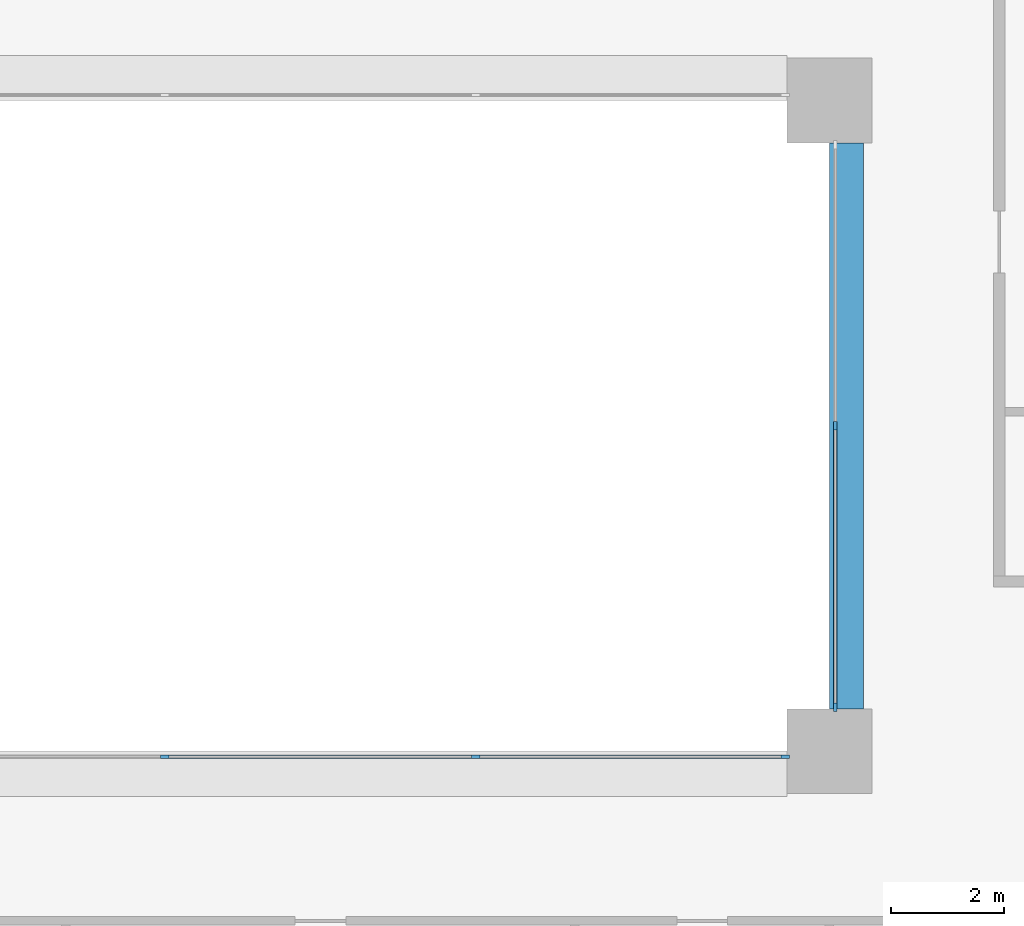
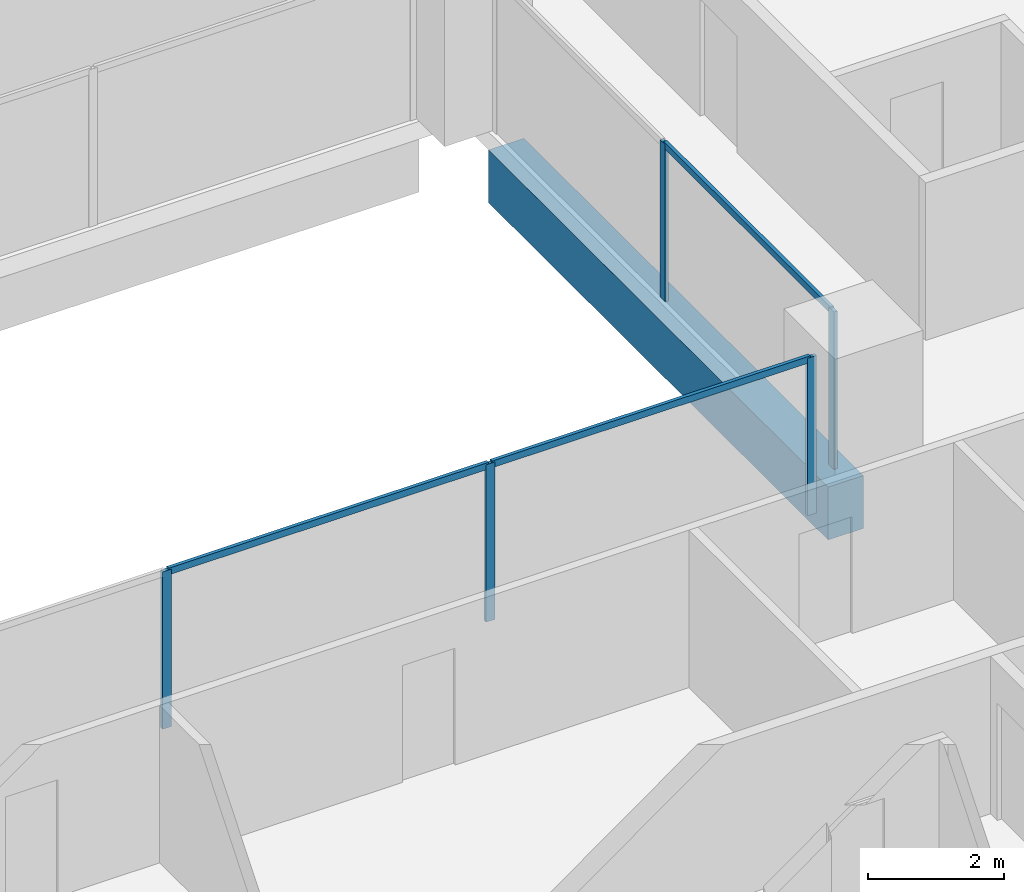
# One storey, part 4 of 20: 8 members, 1 beam, 2 elements without a shape of their own.
"""IFC4 building model written with IfcOpenShell, lengths in metres."""

from ifc_helpers import new_model, si_unit, direction, frame, origin, origin_2d, place, context, subcontext, project, spatial, rectangle, extrude, material, layer, layer_set, material_profile, profile_set, type_object, element, aggregate, save


model = new_model("IFC4")

# Units and contexts
model_context = context("Model", 3, precision=1e-05, world=origin(), true_north=direction((0.0, 1.0)))
body_context = subcontext(model_context, "Body", "Model", "MODEL_VIEW")
ifc_project = project(units=[si_unit("LENGTHUNIT", "METRE"), si_unit("AREAUNIT", "SQUARE_METRE"), si_unit("VOLUMEUNIT", "CUBIC_METRE"), si_unit("PLANEANGLEUNIT", "RADIAN"), si_unit("MASSUNIT", "GRAM", prefix="KILO")], contexts=[model_context])

# Site, building, storey
site_placement = place(None, origin())
site = spatial("IfcSite", under=ifc_project, at=site_placement, CompositionType="ELEMENT")
building_placement = place(site_placement, origin())
building = spatial("IfcBuilding", under=site, at=building_placement, Name="Brigalow Station Residences", CompositionType="ELEMENT")
storey_placement = place(building_placement, frame((0.0, 0.0, 38.39990234375)))
storey = spatial("IfcBuildingStorey", under=building, at=storey_placement, Name="L10", CompositionType="ELEMENT", Elevation=38.39990234375)

# Beam
ifc_material_1 = material(Name="Concrete C65", Category="concrete")
ifc_material_profile_1 = material_profile(ifc_material_1, rectangle(XDim=0.60009765625, YDim=0.949951171875, at=origin_2d()), Name="RC600x950")
ifc_profile_set_1 = profile_set([ifc_material_profile_1], Name="Concrete C65")
beam_type = type_object("IfcBeamType", Name="ATRIUM EDGE GIRDER 600x950 C65", PredefinedType="BEAM", material=ifc_profile_set_1)
beam_placement = place(storey_placement, frame((45.300048828125, 24.75, -0.794921875), z_axis=(0.0, 1.0, 0.0), x_axis=(-1.0, 0.0, 0.0)))
element("IfcBeam", 1, at=beam_placement, inside=storey, type_object=beam_type, Name="ATRIUM EDGE GIRDER 5 L10", PredefinedType="BEAM", context=body_context, shape_type="SweptSolid", body=[
    extrude(rectangle(XDim=0.60009765625, YDim=0.949951171875, at=origin_2d()), origin(), (0.0, 0.0, 1.0), 10.0),
])

# Curtain wall, members
ifc_material_2 = material(Name="Aluminium", Category="aluminium")
ifc_layer = layer(ifc_material_2, 0.14990234375)
ifc_layer_set = layer_set([ifc_layer], Name="ATRIUM FIRE-RATED GLAZING CURTAIN WALL")
curtain_wall_type = type_object("IfcCurtainWallType", Name="ATRIUM FIRE-RATED GLAZING CURTAIN WALL", PredefinedType="NOTDEFINED", material=ifc_layer_set)
curtain_wall_1_placement = place(storey_placement, origin())
curtain_wall_1 = element("IfcCurtainWall", 2, at=curtain_wall_1_placement, inside=storey, type_object=curtain_wall_type, Name="L10/cw/atrium-S", PredefinedType="NOTDEFINED")
ifc_material_3 = material(Name="Aluminium", Category="aluminium")
ifc_material_profile_2 = material_profile(ifc_material_3, rectangle(XDim=0.06005859375, YDim=0.14990234375, at=origin_2d()), Name="ATRIUM FIRE-RATED GLAZING MULLION 60x150")
ifc_profile_set_2 = profile_set([ifc_material_profile_2], Name="Aluminium")
member_type_1 = type_object("IfcMemberType", Name="ATRIUM FIRE-RATED GLAZING MULLION 60x150", PredefinedType="MULLION", material=ifc_profile_set_2)
member_1_placement = place(storey_placement, frame((33.25, 23.89990234375, 0.0), z_axis=(0.0, 0.0, 1.0), x_axis=(0.0, 1.0, 0.0)))
member_1 = element("IfcMember", 3, at=member_1_placement, type_object=member_type_1, Name="L10/cw/atrium-S/M01", PredefinedType="MULLION", context=body_context, shape_type="SweptSolid", body=[
    extrude(rectangle(XDim=0.06005859375, YDim=0.14990234375, at=origin_2d()), origin(), (0.0, 0.0, 1.0), 2.830078125),
])
member_2_placement = place(storey_placement, frame((38.75, 23.89990234375, 0.0), z_axis=(0.0, 0.0, 1.0), x_axis=(0.0, 1.0, 0.0)))
member_2 = element("IfcMember", 4, at=member_2_placement, type_object=member_type_1, Name="L10/cw/atrium-S/M02", PredefinedType="MULLION", context=body_context, shape_type="SweptSolid", body=[
    extrude(rectangle(XDim=0.06005859375, YDim=0.14990234375, at=origin_2d()), origin(), (0.0, 0.0, 1.0), 2.830078125),
])
member_3_placement = place(storey_placement, frame((44.219970703125, 23.89990234375, 0.0), z_axis=(0.0, 0.0, 1.0), x_axis=(0.0, 1.0, 0.0)))
member_3 = element("IfcMember", 5, at=member_3_placement, type_object=member_type_1, Name="L10/cw/atrium-S/M03", PredefinedType="MULLION", context=body_context, shape_type="SweptSolid", body=[
    extrude(rectangle(XDim=0.06005859375, YDim=0.14990234375, at=origin_2d()), origin(), (0.0, 0.0, 1.0), 2.830078125),
])

curtain_wall_2_placement = place(storey_placement, origin())
curtain_wall_2 = element("IfcCurtainWall", 6, at=curtain_wall_2_placement, inside=storey, type_object=curtain_wall_type, Name="L10/cw/atrium-E", PredefinedType="NOTDEFINED")
member_4_placement = place(storey_placement, frame((45.10009765625, 24.780029296875, 0.0), z_axis=(0.0, 0.0, 1.0), x_axis=(-1.0, 0.0, 0.0)))
member_4 = element("IfcMember", 7, at=member_4_placement, type_object=member_type_1, Name="L10/cw/atrium-E/M00", PredefinedType="MULLION", context=body_context, shape_type="SweptSolid", body=[
    extrude(rectangle(XDim=0.06005859375, YDim=0.14990234375, at=origin_2d()), origin(), (0.0, 0.0, 1.0), 2.830078125),
])
member_5_placement = place(storey_placement, frame((45.10009765625, 29.75, 0.0), z_axis=(0.0, 0.0, 1.0), x_axis=(-1.0, 0.0, 0.0)))
member_5 = element("IfcMember", 8, at=member_5_placement, type_object=member_type_1, Name="L10/cw/atrium-E/M01", PredefinedType="MULLION", context=body_context, shape_type="SweptSolid", body=[
    extrude(rectangle(XDim=0.06005859375, YDim=0.14990234375, at=origin_2d()), origin(), (0.0, 0.0, 1.0), 2.830078125),
])

# Member
ifc_material_4 = material(Name="Aluminium", Category="aluminium")
ifc_material_profile_3 = material_profile(ifc_material_4, rectangle(XDim=0.06005859375, YDim=0.1201171875, at=origin_2d()), Name="ATRIUM FIRE-RATED GLAZING TRANSOM 60x120")
ifc_profile_set_3 = profile_set([ifc_material_profile_3], Name="Aluminium")
member_type_2 = type_object("IfcMemberType", Name="ATRIUM FIRE-RATED GLAZING TRANSOM 60x120", PredefinedType="USERDEFINED", material=ifc_profile_set_3)
member_6_placement = place(storey_placement, frame((33.280029296875, 23.89990234375, 2.800048828125), z_axis=(1.0, 0.0, 0.0), x_axis=(0.0, 1.0, 0.0)))
member_6 = element("IfcMember", 9, at=member_6_placement, type_object=member_type_2, Name="L10/cw/atrium-S/T01-00", ObjectType="TRANSOM", PredefinedType="USERDEFINED", context=body_context, shape_type="SweptSolid", body=[
    extrude(rectangle(XDim=0.06005859375, YDim=0.1201171875, at=origin_2d()), origin(), (0.0, 0.0, 1.0), 5.43994140625),
])

member_7_placement = place(storey_placement, frame((38.780029296875, 23.89990234375, 2.800048828125), z_axis=(1.0, 0.0, 0.0), x_axis=(0.0, 1.0, 0.0)))
member_7 = element("IfcMember", 10, at=member_7_placement, type_object=member_type_2, Name="L10/cw/atrium-S/T02-00", ObjectType="TRANSOM", PredefinedType="USERDEFINED", context=body_context, shape_type="SweptSolid", body=[
    extrude(rectangle(XDim=0.06005859375, YDim=0.1201171875, at=origin_2d()), origin(), (0.0, 0.0, 1.0), 5.409912109375),
])

aggregate(curtain_wall_1, [member_1, member_2, member_3, member_6, member_7])

member_8_placement = place(storey_placement, frame((45.10009765625, 24.81005859375, 2.800048828125), z_axis=(0.0, 1.0, 0.0), x_axis=(-1.0, 0.0, 0.0)))
member_8 = element("IfcMember", 11, at=member_8_placement, type_object=member_type_2, Name="L10/cw/atrium-E/T00-00", ObjectType="TRANSOM", PredefinedType="USERDEFINED", context=body_context, shape_type="SweptSolid", body=[
    extrude(rectangle(XDim=0.06005859375, YDim=0.1201171875, at=origin_2d()), origin(), (0.0, 0.0, 1.0), 4.909912109375),
])

aggregate(curtain_wall_2, [member_4, member_5, member_8])

save(model, "model.ifc")
